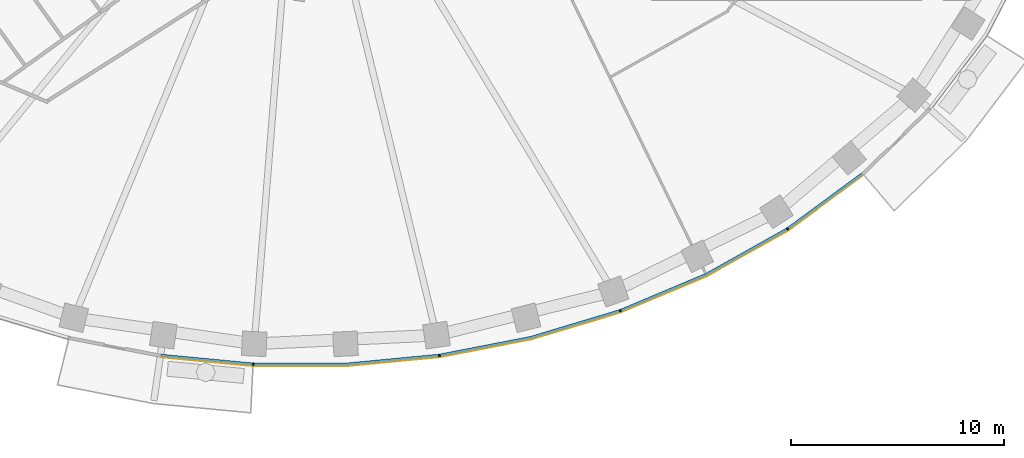
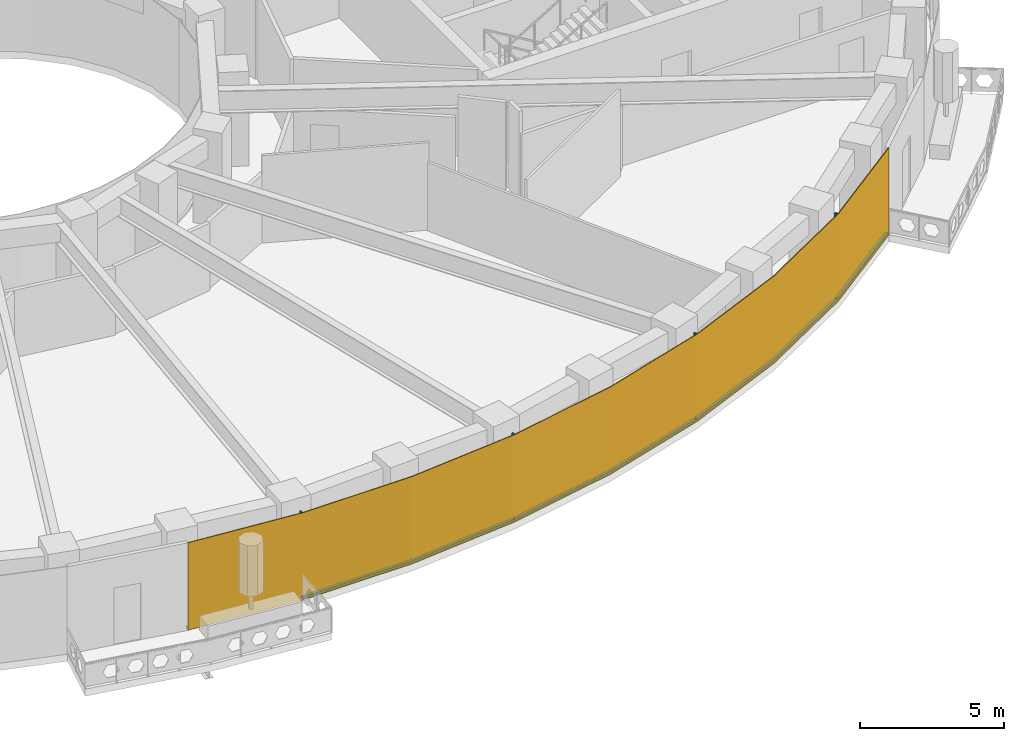
# One storey, part 9 of 16: 9 members, 1 curtain wall.
"""IFC4 building model written with IfcOpenShell, lengths in metres."""

from ifc_helpers import new_model, si_unit, direction, frame, origin, origin_2d, place, context, subcontext, project, spatial, polyline, rectangle, outline, extrude, material, layer, layer_set, material_profile, profile_set, type_object, element, aggregate, save


model = new_model("IFC4")

# Units and contexts
model_context = context("Model", 3, precision=1e-05, world=origin(), true_north=direction((0.0, 1.0)))
body_context = subcontext(model_context, "Body", "Model", "MODEL_VIEW")
ifc_project = project(units=[si_unit("LENGTHUNIT", "METRE"), si_unit("AREAUNIT", "SQUARE_METRE"), si_unit("VOLUMEUNIT", "CUBIC_METRE"), si_unit("PLANEANGLEUNIT", "RADIAN"), si_unit("MASSUNIT", "GRAM", prefix="KILO")], contexts=[model_context])

# Member
ifc_material_1 = material(Name="Aluminium 6063-T6 black anodised", Category="aluminium")
ifc_material_profile = material_profile(ifc_material_1, rectangle(XDim=0.1201171875, YDim=0.06005859375, at=origin_2d()), Name="120x60")
ifc_profile_set = profile_set([ifc_material_profile], Name="Aluminium 6063-T6 black anodised")
member_type_1 = type_object("IfcMemberType", Name="ENV-MULLION-A-120", PredefinedType="MULLION", material=ifc_profile_set)
site_placement = place(None, origin())
building_placement = place(site_placement, origin())
storey_placement = place(building_placement, frame((0.0, 0.0, 178.0)))
member_1_placement = place(storey_placement, frame((-2.188720703125, -27.856201171875, 0.0), z_axis=(0.0, 0.0, 1.0), x_axis=(0.047557873581, 0.998868484166, 0.0)))
member_1 = element("IfcMember", 1, at=member_1_placement, type_object=member_type_1, Name="Mullion A radial 35", PredefinedType="MULLION", context=body_context, shape_type="SweptSolid", body=[
    extrude(rectangle(XDim=0.1201171875, YDim=0.06005859375, at=origin_2d()), origin(), (0.0, 0.0, 1.0), 3.699951171875),
])

member_2_placement = place(storey_placement, frame((6.54638671875, -27.440185546875, 0.0), z_axis=(0.0, 0.0, 1.0), x_axis=(-0.143082012705, 0.989710835366, 0.0)))
member_2 = element("IfcMember", 2, at=member_2_placement, type_object=member_type_1, Name="Mullion A radial 37", PredefinedType="MULLION", context=body_context, shape_type="SweptSolid", body=[
    extrude(rectangle(XDim=0.1201171875, YDim=0.06005859375, at=origin_2d()), origin(), (0.0, 0.0, 1.0), 3.699951171875),
])

member_3_placement = place(storey_placement, frame((15.0341796875, -25.34375, 0.0), z_axis=(0.0, 0.0, 1.0), x_axis=(-0.338379256581, 0.941009818608, 0.0)))
member_3 = element("IfcMember", 3, at=member_3_placement, type_object=member_type_1, Name="Mullion A radial 39", PredefinedType="MULLION", context=body_context, shape_type="SweptSolid", body=[
    extrude(rectangle(XDim=0.1201171875, YDim=0.06005859375, at=origin_2d()), origin(), (0.0, 0.0, 1.0), 3.699951171875),
])

member_4_placement = place(storey_placement, frame((22.882568359375, -21.506591796875, 0.0), z_axis=(0.0, 0.0, 1.0), x_axis=(-0.542279153225, 0.840198381323, 0.0)))
member_4 = element("IfcMember", 4, at=member_4_placement, type_object=member_type_1, Name="Mullion A radial 41", PredefinedType="MULLION", context=body_context, shape_type="SweptSolid", body=[
    extrude(rectangle(XDim=0.1201171875, YDim=0.06005859375, at=origin_2d()), origin(), (0.0, 0.0, 1.0), 3.699951171875),
])

ifc_material_2 = material(Name="Aluminium 6063-T6 black anodised", Category="aluminium")
member_type_2 = type_object("IfcMemberType", Name="ENV-TRANSOM-A", PredefinedType="USERDEFINED", material=ifc_material_2)
member_5_placement = place(storey_placement, origin())
member_5 = element("IfcMember", 5, at=member_5_placement, type_object=member_type_2, Name="Transom A radial 34-35", ObjectType="TRANSOM", PredefinedType="USERDEFINED", context=body_context, shape_type="SweptSolid", body=[
    extrude(outline(polyline([(-6.53515625, -27.50146484375), (-2.219482421875, -27.913330078125), (-2.2138671875, -27.793212890625), (-6.51806640625, -27.382568359375), (-6.53515625, -27.50146484375)])), origin(), (0.0, 0.0, 1.0), 0.10009765625),
])

member_6_placement = place(storey_placement, origin())
member_6 = element("IfcMember", 6, at=member_6_placement, type_object=member_type_2, Name="Transom A radial 35-37", ObjectType="TRANSOM", PredefinedType="USERDEFINED", context=body_context, shape_type="SweptSolid", body=[
    extrude(outline(polyline([(-2.163818359375, -27.916015625), (2.191650390625, -27.916015625), (6.527099609375, -27.502197265625), (6.510009765625, -27.38330078125), (2.185791015625, -27.7958984375), (-2.157958984375, -27.7958984375), (-2.163818359375, -27.916015625)])), origin(), (0.0, 0.0, 1.0), 0.10009765625),
])

member_7_placement = place(storey_placement, origin())
member_7 = element("IfcMember", 7, at=member_7_placement, type_object=member_type_2, Name="Transom A radial 37-39", ObjectType="TRANSOM", PredefinedType="USERDEFINED", context=body_context, shape_type="SweptSolid", body=[
    extrude(outline(polyline([(6.58251953125, -27.494140625), (10.857666015625, -26.6630859375), (15.027587890625, -25.408203125), (14.987060546875, -25.295166015625), (10.828857421875, -26.54638671875), (6.5654296875, -27.375244140625), (6.58251953125, -27.494140625)])), origin(), (0.0, 0.0, 1.0), 0.10009765625),
])

member_8_placement = place(storey_placement, origin())
member_8 = element("IfcMember", 8, at=member_8_placement, type_object=member_type_2, Name="Transom A radial 39-41", ObjectType="TRANSOM", PredefinedType="USERDEFINED", context=body_context, shape_type="SweptSolid", body=[
    extrude(outline(polyline([(15.080322265625, -25.389404296875), (19.093994140625, -23.701416015625), (22.890625, -21.570556640625), (22.825439453125, -21.469482421875), (19.041259765625, -23.593505859375), (15.03955078125, -25.276123046875), (15.080322265625, -25.389404296875)])), origin(), (0.0, 0.0, 1.0), 0.10009765625),
])

member_9_placement = place(storey_placement, origin())
member_9 = element("IfcMember", 9, at=member_9_placement, type_object=member_type_2, Name="Transom A radial 41-42", ObjectType="TRANSOM", PredefinedType="USERDEFINED", context=body_context, shape_type="SweptSolid", body=[
    extrude(outline(polyline([(22.937744140625, -21.540283203125), (26.42626953125, -18.970703125), (26.348388671875, -18.87890625), (22.87255859375, -21.439208984375), (22.937744140625, -21.540283203125)])), origin(), (0.0, 0.0, 1.0), 0.10009765625),
])

# Site, building, storey
site = spatial("IfcSite", under=ifc_project, at=site_placement, CompositionType="ELEMENT")
building = spatial("IfcBuilding", under=site, at=building_placement, Name="Noorbagh Ring Tower", CompositionType="ELEMENT")
storey = spatial("IfcBuildingStorey", under=building, at=storey_placement, Name="L41", CompositionType="ELEMENT", Elevation=178.0)

# Curtain wall
ifc_material_3 = material(Name="Glass dark tinted laminated", Category="glass")
ifc_layer = layer(ifc_material_3, 0.031982421875)
ifc_layer_set = layer_set([ifc_layer], Name="Glass dark tinted laminated")
curtain_wall_type = type_object("IfcCurtainWallType", Name="ENV-CW-A", PredefinedType="NOTDEFINED", material=ifc_layer_set)
curtain_wall_placement = place(storey_placement, origin())
curtain_wall = element("IfcCurtainWall", 10, at=curtain_wall_placement, inside=storey, type_object=curtain_wall_type, Name="Curtain wall A R34", PredefinedType="NOTDEFINED", context=body_context, shape_type="SweptSolid", body=[
    extrude(outline(polyline([(-6.539794921875, -27.533203125), (-2.193115234375, -27.947998046875), (2.193115234375, -27.947998046875), (6.559814453125, -27.53125), (10.865234375, -26.6943359375), (15.065185546875, -25.430419921875), (19.108154296875, -23.730224609375), (22.9326171875, -21.583740234375), (26.447021484375, -18.9951171875), (26.42626953125, -18.970703125), (22.9150390625, -21.556884765625), (19.093994140625, -23.701416015625), (15.054443359375, -25.400146484375), (10.857666015625, -26.6630859375), (6.55517578125, -27.49951171875), (2.191650390625, -27.916015625), (-2.191650390625, -27.916015625), (-6.53515625, -27.50146484375), (-6.539794921875, -27.533203125)])), origin(), (0.0, 0.0, 1.0), 3.699951171875),
])

aggregate(curtain_wall, [member_1, member_2, member_3, member_4, member_5, member_6, member_7, member_8, member_9])

save(model, "model.ifc")
